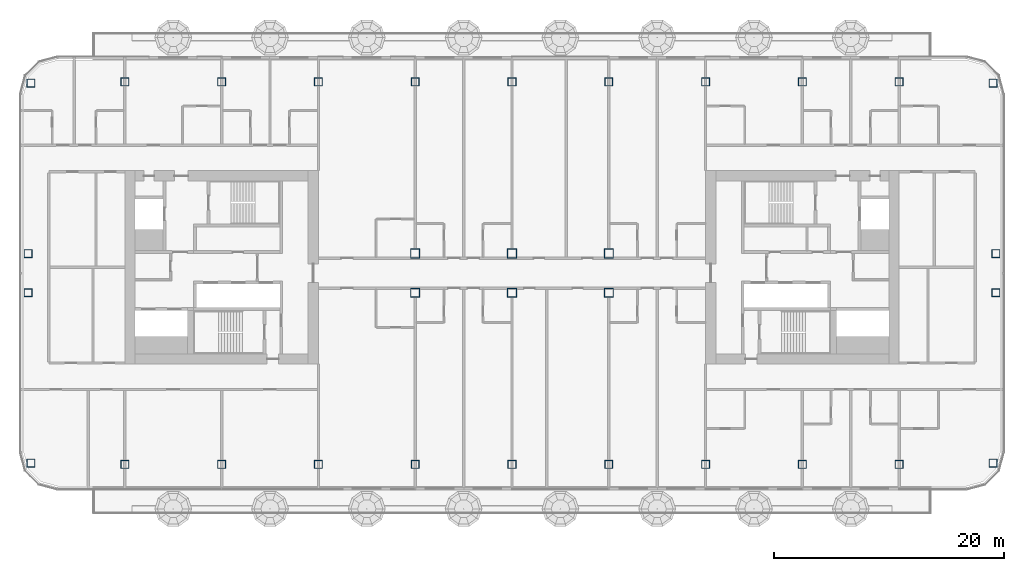
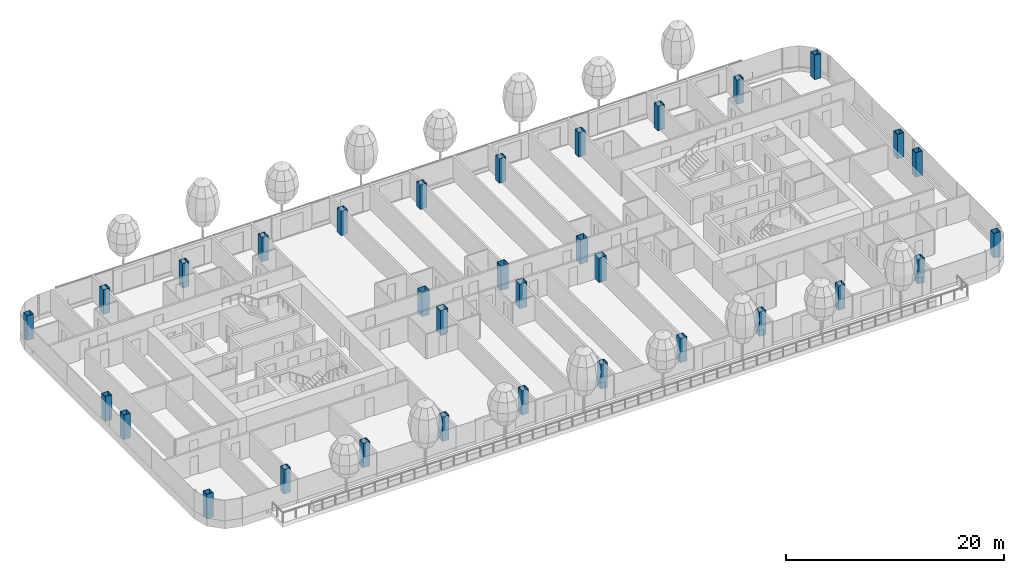
# One storey, part 1 of 30: 32 columns.
"""IFC4 building model written with IfcOpenShell, lengths in metres."""

from ifc_helpers import new_model, si_unit, direction, frame, origin, origin_2d, place, context, subcontext, project, spatial, hollow_rectangle, extrude, material, material_profile, profile_set, type_object, element, save


model = new_model("IFC4")

# Units and contexts
model_context = context("Model", 3, precision=1e-05, world=origin(), true_north=direction((0.0, 1.0)))
body_context = subcontext(model_context, "Body", "Model", "MODEL_VIEW")
ifc_project = project(units=[si_unit("LENGTHUNIT", "METRE"), si_unit("AREAUNIT", "SQUARE_METRE"), si_unit("VOLUMEUNIT", "CUBIC_METRE"), si_unit("PLANEANGLEUNIT", "RADIAN"), si_unit("MASSUNIT", "GRAM", prefix="KILO")], contexts=[model_context])

# Site, building, storey
site_placement = place(None, origin())
site = spatial("IfcSite", under=ifc_project, at=site_placement, CompositionType="ELEMENT")
building_placement = place(site_placement, origin())
building = spatial("IfcBuilding", under=site, at=building_placement, Name="Hakoniwa Tower and Hamabe Station Hall", CompositionType="ELEMENT")
storey_placement = place(building_placement, frame((0.0, 0.0, 137.39990234375)))
storey = spatial("IfcBuildingStorey", under=building, at=storey_placement, Name="L38", CompositionType="ELEMENT", Elevation=137.39990234375)

# Columns
ifc_material_1 = material(Name="Steel SN490C", Category="steel")
ifc_material_profile_1 = material_profile(ifc_material_1, hollow_rectangle(XDim=0.699951171875, YDim=0.699951171875, WallThickness=0.028076171875, at=origin_2d()), Name="BX-700x700x28")
ifc_profile_set_1 = profile_set([ifc_material_profile_1], Name="Steel SN490C")
column_type_1 = type_object("IfcColumnType", Name="COLUMN BX-700x700x28", PredefinedType="COLUMN", material=ifc_profile_set_1)
for number, where, z_axis, x_axis, name in (
    (1, (-41.74853515625, -16.99365234375, 0.0), (0.0, 0.0, 1.0), (1.0, 0.0, 0.0), "Column B3-2-A3"),
    (2, (-42.0, -2.199951171875, 0.0), (0.0, 0.0, 1.0), (1.0, 0.0, 0.0), "Column B3-2-C3"),
    (3, (-42.0, 1.199951171875, 0.0), (0.0, 0.0, 1.0), (1.0, 0.0, 0.0), "Column B3-2-D3"),
    (4, (-41.74853515625, 15.99365234375, 0.0), (0.0, 0.0, 1.0), (1.0, 0.0, 0.0), "Column B3-2-F3"),
    (5, (-33.60009765625, -17.10009765625, 0.0), (0.0, 0.0, 1.0), (1.0, 0.0, 0.0), "Column B3-3-A3"),
    (6, (-33.60009765625, 16.10009765625, 0.0), (0.0, 0.0, 1.0), (1.0, 0.0, 0.0), "Column B3-3-F3"),
    (7, (-25.199951171875, -17.10009765625, 0.0), (0.0, 0.0, 1.0), (1.0, 0.0, 0.0), "Column B3-4-A3"),
    (8, (-25.199951171875, 16.10009765625, 0.0), (0.0, 0.0, 1.0), (1.0, 0.0, 0.0), "Column B3-4-F3"),
    (9, (-16.800048828125, -17.10009765625, 0.0), (0.0, 0.0, 1.0), (1.0, 0.0, 0.0), "Column B3-5-A3"),
    (10, (-16.800048828125, 16.10009765625, 0.0), (0.0, 0.0, 1.0), (1.0, 0.0, 0.0), "Column B3-5-F3"),
    (11, (-8.39990234375, -17.10009765625, 0.0), (0.0, 0.0, 1.0), (1.0, 0.0, 0.0), "Column B3-6-A3"),
    (12, (-8.39990234375, 16.10009765625, 0.0), (0.0, 0.0, 1.0), (1.0, 0.0, 0.0), "Column B3-6-F3"),
    (13, (0.0, -17.10009765625, 0.0), (0.0, 0.0, 1.0), (1.0, 0.0, 0.0), "Column B3-7-A3"),
    (14, (0.0, 16.10009765625, 0.0), (0.0, 0.0, 1.0), (1.0, 0.0, 0.0), "Column B3-7-F3"),
    (15, (8.39990234375, -17.10009765625, 0.0), (0.0, 0.0, 1.0), (1.0, 0.0, 0.0), "Column B3-8-A3"),
    (16, (8.39990234375, 16.10009765625, 0.0), (0.0, 0.0, 1.0), (1.0, 0.0, 0.0), "Column B3-8-F3"),
    (17, (16.800048828125, -17.10009765625, 0.0), (0.0, 0.0, 1.0), (1.0, 0.0, 0.0), "Column B3-9-A3"),
    (18, (16.800048828125, 16.10009765625, 0.0), (0.0, 0.0, 1.0), (1.0, 0.0, 0.0), "Column B3-9-F3"),
    (19, (25.199951171875, -17.10009765625, 0.0), (0.0, 0.0, 1.0), (1.0, 0.0, 0.0), "Column B3-10-A3"),
    (20, (25.199951171875, 16.10009765625, 0.0), (0.0, 0.0, 1.0), (1.0, 0.0, 0.0), "Column B3-10-F3"),
    (21, (33.60009765625, -17.10009765625, 0.0), (0.0, 0.0, 1.0), (1.0, 0.0, 0.0), "Column B3-11-A3"),
    (22, (33.60009765625, 16.10009765625, 0.0), (0.0, 0.0, 1.0), (1.0, 0.0, 0.0), "Column B3-11-F3"),
    (23, (41.74853515625, -16.99365234375, 0.0), (0.0, 0.0, 1.0), (1.0, 0.0, 0.0), "Column B3-12-A3"),
    (24, (42.0, -2.199951171875, 0.0), (0.0, 0.0, 1.0), (1.0, 0.0, 0.0), "Column B3-12-C3"),
    (25, (42.0, 1.199951171875, 0.0), (0.0, 0.0, 1.0), (1.0, 0.0, 0.0), "Column B3-12-D3"),
    (26, (41.74853515625, 15.99365234375, 0.0), (0.0, 0.0, 1.0), (1.0, 0.0, 0.0), "Column B3-12-F3"),
):
    element("IfcColumn", number, at=place(storey_placement, frame(where, z_axis=z_axis, x_axis=x_axis)), inside=storey, type_object=column_type_1, Name=name, PredefinedType="COLUMN", context=body_context, shape_type="SweptSolid", body=[
        extrude(hollow_rectangle(XDim=0.699951171875, YDim=0.699951171875, WallThickness=0.028076171875, at=origin_2d()), origin(), (0.0, 0.0, 1.0), 2.75),
    ])
ifc_material_2 = material(Name="Steel SN490C", Category="steel")
ifc_material_profile_2 = material_profile(ifc_material_2, hollow_rectangle(XDim=0.800048828125, YDim=0.800048828125, WallThickness=0.031982421875, at=origin_2d()), Name="BX-800x800x32")
ifc_profile_set_2 = profile_set([ifc_material_profile_2], Name="Steel SN490C")
column_type_2 = type_object("IfcColumnType", Name="COLUMN BX-800x800x32", PredefinedType="COLUMN", material=ifc_profile_set_2)
for number, where, z_axis, x_axis, name in (
    (27, (-8.39990234375, -2.199951171875, 0.0), (0.0, 0.0, 1.0), (1.0, 0.0, 0.0), "Column B3-6-C3"),
    (28, (-8.39990234375, 1.199951171875, 0.0), (0.0, 0.0, 1.0), (1.0, 0.0, 0.0), "Column B3-6-D3"),
    (29, (0.0, -2.199951171875, 0.0), (0.0, 0.0, 1.0), (1.0, 0.0, 0.0), "Column B3-7-C3"),
    (30, (0.0, 1.199951171875, 0.0), (0.0, 0.0, 1.0), (1.0, 0.0, 0.0), "Column B3-7-D3"),
    (31, (8.39990234375, -2.199951171875, 0.0), (0.0, 0.0, 1.0), (1.0, 0.0, 0.0), "Column B3-8-C3"),
    (32, (8.39990234375, 1.199951171875, 0.0), (0.0, 0.0, 1.0), (1.0, 0.0, 0.0), "Column B3-8-D3"),
):
    element("IfcColumn", number, at=place(storey_placement, frame(where, z_axis=z_axis, x_axis=x_axis)), inside=storey, type_object=column_type_2, Name=name, PredefinedType="COLUMN", context=body_context, shape_type="SweptSolid", body=[
        extrude(hollow_rectangle(XDim=0.800048828125, YDim=0.800048828125, WallThickness=0.031982421875, at=origin_2d()), origin(), (0.0, 0.0, 1.0), 2.75),
    ])

save(model, "model.ifc")
